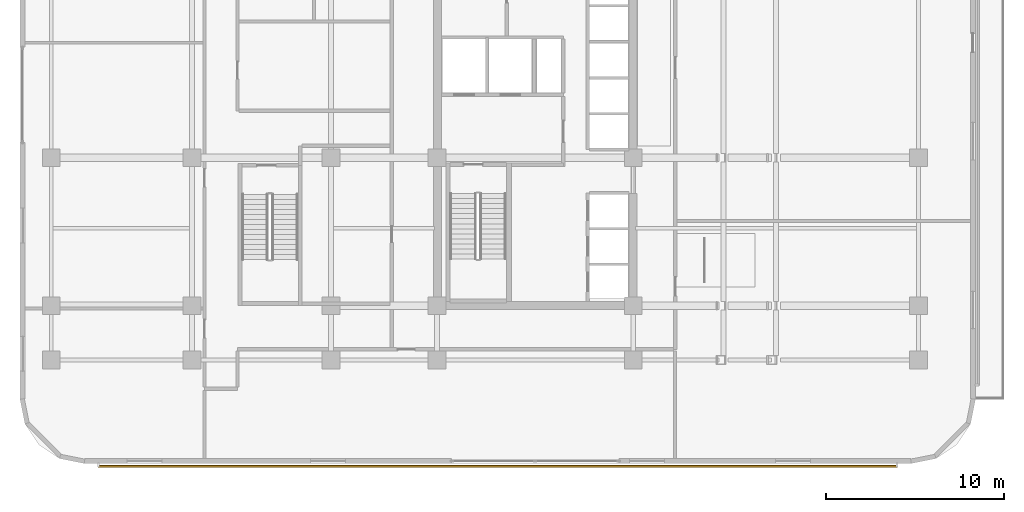
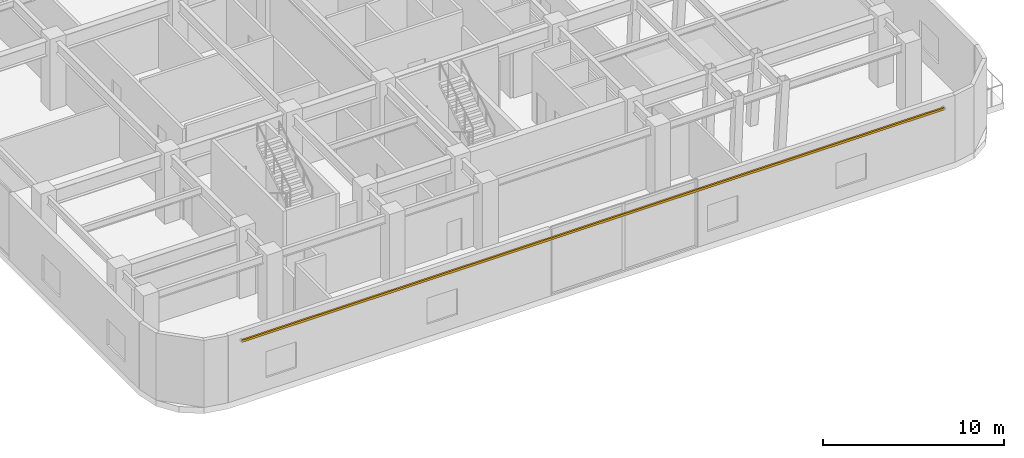
# One storey, part 15 of 18: 1 shading device.
"""IFC4 building model written with IfcOpenShell, lengths in metres."""

from ifc_helpers import new_model, si_unit, direction, frame, origin, origin_2d, place, context, subcontext, project, spatial, rectangle, extrude, material, material_profile, profile_set, type_object, element, save


model = new_model("IFC4")

# Units and contexts
model_context = context("Model", 3, precision=1e-05, world=origin(), true_north=direction((0.0, 1.0)))
body_context = subcontext(model_context, "Body", "Model", "MODEL_VIEW")
ifc_project = project(units=[si_unit("LENGTHUNIT", "METRE"), si_unit("AREAUNIT", "SQUARE_METRE"), si_unit("VOLUMEUNIT", "CUBIC_METRE"), si_unit("PLANEANGLEUNIT", "RADIAN"), si_unit("MASSUNIT", "GRAM", prefix="KILO")], contexts=[model_context])

# Site, building, storey
site_placement = place(None, origin())
site = spatial("IfcSite", under=ifc_project, at=site_placement, CompositionType="ELEMENT")
building_placement = place(site_placement, origin())
building = spatial("IfcBuilding", under=site, at=building_placement, Name="Ochreholt Gables", CompositionType="ELEMENT")
storey_placement = place(building_placement, frame((0.0, 0.0, 4.800048828125)))
storey = spatial("IfcBuildingStorey", under=building, at=storey_placement, Name="L01", CompositionType="ELEMENT", Elevation=4.800048828125)

# Shading device
ifc_material = material(Name="Warm Ochre Glazed Terracotta Baguette", Category="masonry")
ifc_material_profile = material_profile(ifc_material, rectangle(XDim=0.110107421875, YDim=0.14990234375, at=origin_2d()), Name="TCBAG110X150")
ifc_profile_set = profile_set([ifc_material_profile], Name="Warm Ochre Glazed Terracotta Baguette")
shading_device_type = type_object("IfcShadingDeviceType", Name="SHD-BAGUETTE", PredefinedType="USERDEFINED", material=ifc_profile_set)
shading_device_placement = place(storey_placement, frame((5.199951171875, 0.25, 4.0), z_axis=(1.0, 0.0, 0.0), x_axis=(0.0, 1.0, 0.0)))
element("IfcShadingDevice", 1, at=shading_device_placement, inside=storey, type_object=shading_device_type, Name="L01 Terracotta Baguette Screen S-1", ObjectType="BAGUETTE", PredefinedType="USERDEFINED", context=body_context, shape_type="SweptSolid", body=[
    extrude(rectangle(XDim=0.110107421875, YDim=0.14990234375, at=origin_2d()), origin(), (0.0, 0.0, 1.0), 44.800048828125),
])

save(model, "model.ifc")
